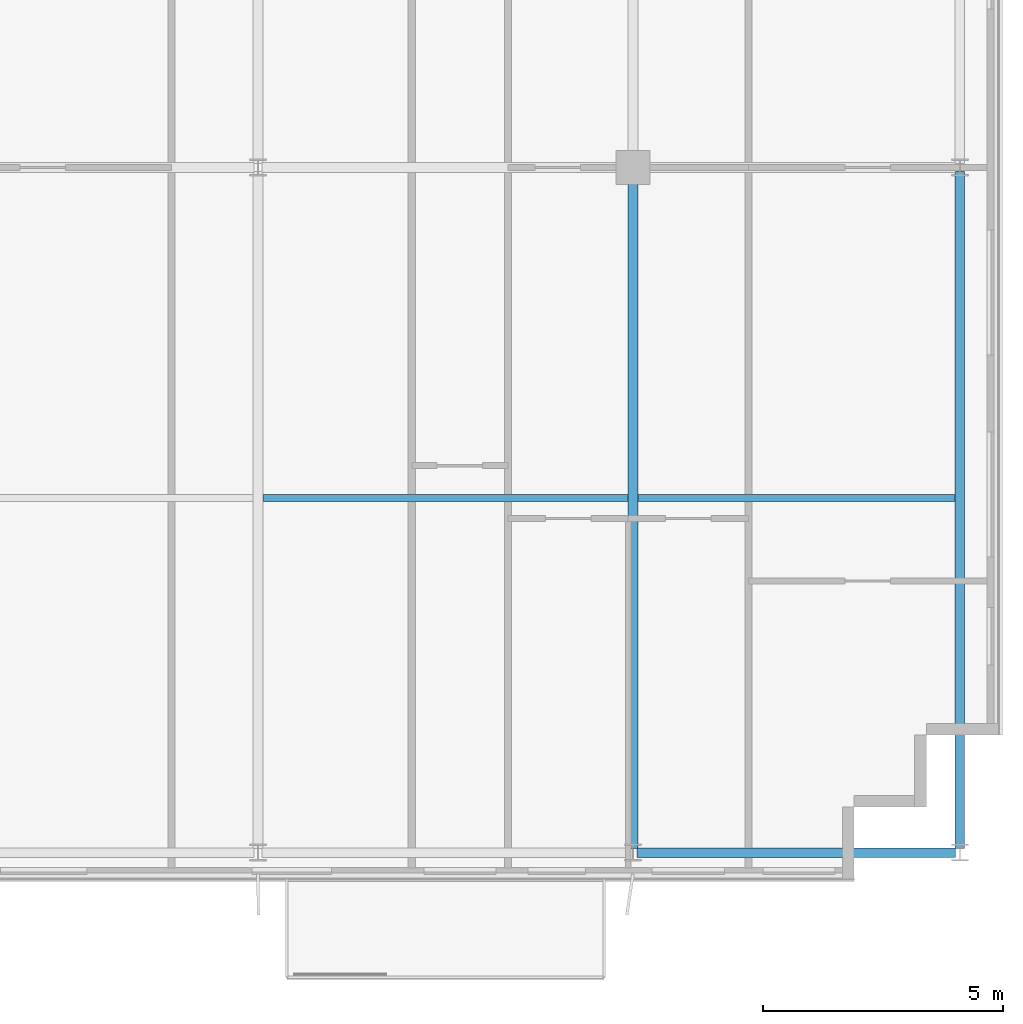
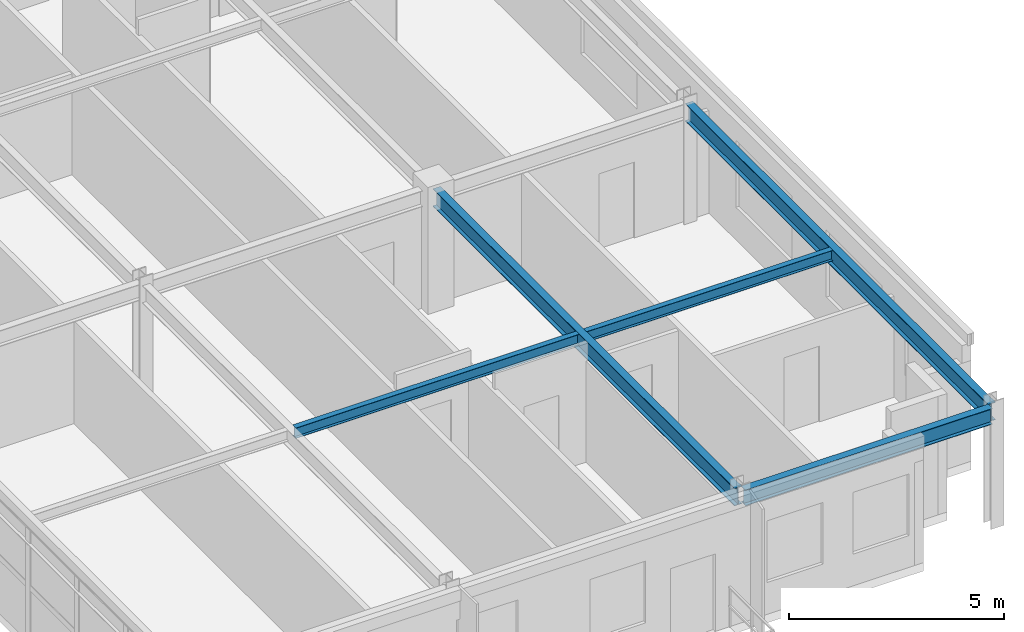
# One storey, part 13 of 35: 5 beams.
"""IFC4 building model written with IfcOpenShell, lengths in metres."""

import ifcopenshell
import ifcopenshell.guid

model = None  # the IFC model being written
_history = None  # IfcOwnerHistory: only IFC2X3 demands one
_inside = {}  # id of a spatial element -> (the spatial element, [elements in it])
_under = {}  # id of a project, library or spatial element -> (it, [spatial elements below it])
_declared = {}  # id of a project -> (the project, [libraries it declares])
_typed = {}  # id of a type object -> (the type object, [elements of that type])
_made_of = {}  # id of a material, layer set ... -> (it, [elements and type objects made of it])


def new_model(schema):
    """Start an empty IFC model of exactly this schema.

    Asked for "IFC4X3", IfcOpenShell would pick the latest addendum, in which some entities
    have other attributes; the version numbers below select the first issue.
    IFC2X3 requires an IfcOwnerHistory on every rooted entity: one is made here for all.
    """
    global model, _history
    if schema == "IFC4X3":
        model = ifcopenshell.file(schema_version=(4, 3, 0, 0))
    else:
        model = ifcopenshell.file(schema=schema)
    _inside.clear()
    _under.clear()
    _declared.clear()
    _typed.clear()
    _made_of.clear()
    _history = None
    if model.schema == "IFC2X3":
        org = make("IfcOrganization", Name="unknown")
        user = make(
            "IfcPersonAndOrganization",
            ThePerson=make("IfcPerson", FamilyName="unknown"),
            TheOrganization=org,
        )
        app = make(
            "IfcApplication",
            ApplicationDeveloper=org,
            Version="unknown",
            ApplicationFullName="unknown",
            ApplicationIdentifier="unknown",
        )
        _history = make(
            "IfcOwnerHistory",
            OwningUser=user,
            OwningApplication=app,
            ChangeAction="ADDED",
            CreationDate=0,
        )
    return model


def make(cls, **values):
    """One entity of the class cls with the attributes given. An attribute that is None is left unset."""
    return model.create_entity(
        cls, **{name: value for name, value in values.items() if value is not None}
    )


def rooted(cls, **values):
    """An entity with a GlobalId (a new one), such as an element, a storey or a relation."""
    return make(cls, GlobalId=ifcopenshell.guid.new(), OwnerHistory=_history, **values)


def si_unit(unit_type, name, prefix=None):
    """IfcSIUnit, for example si_unit("LENGTHUNIT", "METRE", prefix="MILLI")."""
    return make("IfcSIUnit", UnitType=unit_type, Prefix=prefix, Name=name)


def assignment(units):
    """IfcUnitAssignment: the units of a project."""
    return None if units is None else make("IfcUnitAssignment", Units=units)


def point(xyz):
    """IfcCartesianPoint."""
    return None if xyz is None else make("IfcCartesianPoint", Coordinates=xyz)


def direction(xyz):
    """IfcDirection."""
    return None if xyz is None else make("IfcDirection", DirectionRatios=xyz)


def frame(location, z_axis=None, x_axis=None):
    """IfcAxis2Placement3D, a coordinate frame: its origin and axes. An axis left out is left unset."""
    return make(
        "IfcAxis2Placement3D",
        Location=point(location),
        Axis=direction(z_axis),
        RefDirection=direction(x_axis),
    )


def frame_2d(location, x_axis=None):
    """IfcAxis2Placement2D, a coordinate frame in the plane: its origin and x axis."""
    return make(
        "IfcAxis2Placement2D", Location=point(location), RefDirection=direction(x_axis)
    )


def origin():
    """The frame at (0, 0, 0) with its axes left unset."""
    return frame((0.0, 0.0, 0.0))


def origin_2d():
    """The frame at (0, 0) in the plane with its x axis left unset."""
    return frame_2d((0.0, 0.0))


def place(relative_to, where):
    """IfcLocalPlacement: puts the frame where relative to a parent placement (None: the world)."""
    return make(
        "IfcLocalPlacement", PlacementRelTo=relative_to, RelativePlacement=where
    )


def context(
    kind, dimensions, precision=None, world=None, true_north=None, identifier=None
):
    """IfcGeometricRepresentationContext, for example the 3D "Model" context."""
    return make(
        "IfcGeometricRepresentationContext",
        ContextIdentifier=identifier,
        ContextType=kind,
        CoordinateSpaceDimension=dimensions,
        Precision=precision,
        WorldCoordinateSystem=world,
        TrueNorth=true_north,
    )


def subcontext(parent, identifier, kind, view, scale=None):
    """IfcGeometricRepresentationSubContext, for example "Body" below "Model"."""
    return make(
        "IfcGeometricRepresentationSubContext",
        ContextIdentifier=identifier,
        ContextType=kind,
        ParentContext=parent,
        TargetScale=scale,
        TargetView=view,
    )


def project(units=None, contexts=None):
    """IfcProject with its units and contexts."""
    return rooted(
        "IfcProject",
        Name="project",
        RepresentationContexts=contexts,
        UnitsInContext=assignment(units),
    )


def spatial(cls, under=None, at=None, **own):
    """A site, building, storey or space (cls), placed at a placement, below another one or the project."""
    s = rooted(cls, ObjectPlacement=at, **own)
    if under is not None:
        _under.setdefault(under.id(), (under, []))[1].append(s)
    return s


def profile(cls, at=None, kind="AREA", **sizes):
    """A parametric profile (cls). Its sizes go by their IFC names, for example OverallWidth=200.0."""
    return make(cls, ProfileType=kind, Position=at, **sizes)


def i_section(**sizes):
    """IfcIShapeProfileDef."""
    return profile("IfcIShapeProfileDef", **sizes)


def extrude(swept, where, along, depth):
    """IfcExtrudedAreaSolid: the profile swept, set in the frame where, extruded along a direction by depth."""
    return make(
        "IfcExtrudedAreaSolid",
        SweptArea=swept,
        Position=where,
        ExtrudedDirection=direction(along),
        Depth=depth,
    )


def shape(context_of_items, identifier, shape_type, items):
    """IfcShapeRepresentation: the items that make up one representation, for example the "Body"."""
    return make(
        "IfcShapeRepresentation",
        ContextOfItems=context_of_items,
        RepresentationIdentifier=identifier,
        RepresentationType=shape_type,
        Items=items,
    )


def source(mapping_origin, context_of_items, identifier, shape_type, items):
    """IfcRepresentationMap: a shape defined once, which mapped items show again and again."""
    return make(
        "IfcRepresentationMap",
        MappingOrigin=mapping_origin,
        MappedRepresentation=shape(context_of_items, identifier, shape_type, items),
    )


def transform(
    local_origin,
    x_axis=None,
    y_axis=None,
    z_axis=None,
    scale=None,
    scale2=None,
    scale3=None,
    uniform=True,
):
    """IfcCartesianTransformationOperator3D, or its non-uniform kind. x_axis, y_axis, z_axis: its Axis1, 2, 3."""
    if uniform:
        return make(
            "IfcCartesianTransformationOperator3D",
            Axis1=direction(x_axis),
            Axis2=direction(y_axis),
            LocalOrigin=point(local_origin),
            Scale=scale,
            Axis3=direction(z_axis),
        )
    return make(
        "IfcCartesianTransformationOperator3DnonUniform",
        Axis1=direction(x_axis),
        Axis2=direction(y_axis),
        LocalOrigin=point(local_origin),
        Scale=scale,
        Axis3=direction(z_axis),
        Scale2=scale2,
        Scale3=scale3,
    )


def mapped(mapping_source, mapping_target):
    """IfcMappedItem: shows the shape of a source again, moved by a transform."""
    return make(
        "IfcMappedItem", MappingSource=mapping_source, MappingTarget=mapping_target
    )


def material(Name=None, Category=None):
    """IfcMaterial."""
    return make("IfcMaterial", Name=Name, Category=Category)


def material_profile(
    of_material, cross_section, Name=None, Category=None, Priority=None
):
    """IfcMaterialProfile: a cross section and its material."""
    return make(
        "IfcMaterialProfile",
        Name=Name,
        Material=of_material,
        Profile=cross_section,
        Priority=Priority,
        Category=Category,
    )


def profile_set(profiles, Name=None, composite=None):
    """IfcMaterialProfileSet."""
    return make(
        "IfcMaterialProfileSet",
        Name=Name,
        MaterialProfiles=profiles,
        CompositeProfile=composite,
    )


def made_of(thing, what):
    """Note that an element or type object is made of a material, layer set ...; save() writes the relation."""
    if what is not None:
        _made_of.setdefault(what.id(), (what, []))[1].append(thing)
    return thing


def type_object(cls, material=None, **own):
    """A type object (cls), such as IfcWallType, which elements share."""
    return made_of(rooted(cls, **own), material)


def element(
    cls,
    number,
    at=None,
    inside=None,
    cuts=None,
    type_object=None,
    material=None,
    context=None,
    identifier="Body",
    shape_type=None,
    held_by="IfcProductDefinitionShape",
    body=None,
    shapes=None,
    **own,
):
    """One element of the class cls, such as IfcWall. Its Tag is "e" and its number.

    at: its placement. inside: the storey or other place that contains it. cuts: it is an
    opening in that element (IfcRelVoidsElement). A single representation is given by context,
    identifier, shape_type and body (its items); several are given by shapes. held_by: the class
    of the entity that holds the representations. save() writes the other relations.
    """
    e = rooted(cls, Tag="e%d" % number, ObjectPlacement=at, **own)
    if body is not None:
        shapes = [shape(context, identifier, shape_type, body)]
    if shapes is not None:
        e.Representation = make(held_by, Representations=shapes)
    if inside is not None:
        _inside.setdefault(inside.id(), (inside, []))[1].append(e)
    if cuts is not None:
        rooted(
            "IfcRelVoidsElement", RelatingBuildingElement=cuts, RelatedOpeningElement=e
        )
    if type_object is not None:
        _typed.setdefault(type_object.id(), (type_object, []))[1].append(e)
    return made_of(e, material)


def aggregate(whole, parts):
    """IfcRelAggregates: a whole, such as a stair, and the parts it consists of."""
    return rooted("IfcRelAggregates", RelatingObject=whole, RelatedObjects=parts)


def save(model, path):
    """Write the relations noted so far, then the file.

    IfcRelAggregates (storeys below a building ...), IfcRelContainedInSpatialStructure (elements
    in a storey), IfcRelDefinesByType, IfcRelAssociatesMaterial and IfcRelDeclares: one each for
    every whole, place, type object, material and project.
    """
    for whole, parts in _under.values():
        aggregate(whole, parts)
    for where, things in _inside.values():
        rooted(
            "IfcRelContainedInSpatialStructure",
            RelatedElements=things,
            RelatingStructure=where,
        )
    for kind, things in _typed.values():
        rooted("IfcRelDefinesByType", RelatedObjects=things, RelatingType=kind)
    for what, things in _made_of.values():
        rooted("IfcRelAssociatesMaterial", RelatedObjects=things, RelatingMaterial=what)
    for by, libraries in _declared.values():
        rooted("IfcRelDeclares", RelatingContext=by, RelatedDefinitions=libraries)
    model.write(path)


model = new_model("IFC4")

# Units and contexts
model_context = context("Model", 3, precision=1e-05, world=origin(), true_north=direction((0.0, 1.0)))
body_context = subcontext(model_context, "Body", "Model", "MODEL_VIEW")
ifc_project = project(units=[si_unit("LENGTHUNIT", "METRE"), si_unit("AREAUNIT", "SQUARE_METRE"), si_unit("VOLUMEUNIT", "CUBIC_METRE"), si_unit("PLANEANGLEUNIT", "RADIAN"), si_unit("MASSUNIT", "GRAM", prefix="KILO")], contexts=[model_context])

# Site, building, storey
site_placement = place(None, origin())
site = spatial("IfcSite", under=ifc_project, at=site_placement, CompositionType="ELEMENT")
building_placement = place(site_placement, origin())
building = spatial("IfcBuilding", under=site, at=building_placement, Name="Trelvane Seafront Commons", CompositionType="ELEMENT")
storey_placement = place(building_placement, frame((0.0, 0.0, 194.10009765625)))
storey = spatial("IfcBuildingStorey", under=building, at=storey_placement, Name="L50", CompositionType="ELEMENT", Elevation=194.10009765625)

# Beams
ifc_material = material(Name="Steel SM355 (S355)", Category="steel")
ifc_material_profile_1 = material_profile(ifc_material, i_section(OverallWidth=0.199951171875, OverallDepth=0.449951171875, WebThickness=0.009033203125, FlangeThickness=0.013916015625, at=origin_2d()), Name="H-450x200x9x14")
ifc_profile_set_1 = profile_set([ifc_material_profile_1], Name="Steel SM355 (S355)")
beam_type_1 = type_object("IfcBeamType", Name="STR-SPD-H450", PredefinedType="SPANDREL", material=ifc_profile_set_1)
shared_shape_1 = source(origin(), body_context, "Body", "SweptSolid", [
    extrude(i_section(OverallWidth=0.199951171875, OverallDepth=0.449951171875, WebThickness=0.009033203125, FlangeThickness=0.013916015625, at=origin_2d()), origin(), (0.0, 0.0, 1.0), 6.625),
])
beam_1_placement = place(storey_placement, frame((58.887451171875, 3.949951171875, 3.135009765625), z_axis=(1.0, 0.0, 0.0), x_axis=(0.0, 1.0, 0.0)))
element("IfcBeam", 1, at=beam_1_placement, inside=storey, type_object=beam_type_1, Name="L50 Primary Girder G-07", PredefinedType="SPANDREL", context=body_context, shape_type="MappedRepresentation", body=[
    mapped(shared_shape_1, transform((0.0, 0.0, 0.0), x_axis=(1.0, 0.0, 0.0), y_axis=(0.0, 1.0, 0.0), z_axis=(0.0, 0.0, 1.0), scale=1.0)),
])
ifc_material_profile_2 = material_profile(ifc_material, i_section(OverallWidth=0.199951171875, OverallDepth=0.5, WebThickness=0.010009765625, FlangeThickness=0.01611328125, at=origin_2d()), Name="H-500x200x10x16")
ifc_profile_set_2 = profile_set([ifc_material_profile_2], Name="Steel SM355 (S355)")
beam_type_2 = type_object("IfcBeamType", Name="STR-BM-H500", PredefinedType="BEAM", material=ifc_profile_set_2)
shared_shape_2 = source(origin(), body_context, "Body", "SweptSolid", [
    extrude(i_section(OverallWidth=0.199951171875, OverallDepth=0.5, WebThickness=0.010009765625, FlangeThickness=0.01611328125, at=origin_2d()), origin(), (0.0, 0.0, 1.0), 14.074951171875),
])
beam_2_placement = place(storey_placement, frame((65.60009765625, 4.03759765625, 3.10986328125), z_axis=(0.0, 1.0, 0.0), x_axis=(-1.0, 0.0, 0.0)))
element("IfcBeam", 2, at=beam_2_placement, inside=storey, type_object=beam_type_2, Name="L50 Primary Girder G-50", PredefinedType="BEAM", context=body_context, shape_type="MappedRepresentation", body=[
    mapped(shared_shape_2, transform((0.0, 0.0, 0.0), x_axis=(1.0, 0.0, 0.0), y_axis=(0.0, 1.0, 0.0), z_axis=(0.0, 0.0, 1.0), scale=1.0)),
])
shared_shape_3 = source(origin(), body_context, "Body", "SweptSolid", [
    extrude(i_section(OverallWidth=0.199951171875, OverallDepth=0.5, WebThickness=0.010009765625, FlangeThickness=0.01611328125, at=origin_2d()), origin(), (0.0, 0.0, 1.0), 14.012451171875),
])
beam_3_placement = place(storey_placement, frame((58.800048828125, 4.03759765625, 3.10986328125), z_axis=(0.0, 1.0, 0.0), x_axis=(-1.0, 0.0, 0.0)))
element("IfcBeam", 3, at=beam_3_placement, inside=storey, type_object=beam_type_2, Name="L50 Primary Girder G-47", PredefinedType="BEAM", context=body_context, shape_type="MappedRepresentation", body=[
    mapped(shared_shape_3, transform((0.0, 0.0, 0.0), x_axis=(1.0, 0.0, 0.0), y_axis=(0.0, 1.0, 0.0), z_axis=(0.0, 0.0, 1.0), scale=1.0)),
])
ifc_material_profile_3 = material_profile(ifc_material, i_section(OverallWidth=0.14990234375, OverallDepth=0.300048828125, WebThickness=0.006591796875, FlangeThickness=0.009033203125, at=origin_2d()), Name="H-300x150x6.5x9")
ifc_profile_set_3 = profile_set([ifc_material_profile_3], Name="Steel SM355 (S355)")
beam_type_3 = type_object("IfcBeamType", Name="STR-JST-H300", PredefinedType="JOIST", material=ifc_profile_set_3)
shared_shape_4 = source(origin(), body_context, "Body", "SweptSolid", [
    extrude(i_section(OverallWidth=0.14990234375, OverallDepth=0.300048828125, WebThickness=0.006591796875, FlangeThickness=0.009033203125, at=origin_2d()), origin(), (0.0, 0.0, 1.0), 6.60009765625),
])
beam_4_placement = place(storey_placement, frame((58.89990234375, 11.324951171875, 3.2099609375), z_axis=(1.0, 0.0, 0.0), x_axis=(0.0, 1.0, 0.0)))
element("IfcBeam", 4, at=beam_4_placement, inside=storey, type_object=beam_type_3, Name="L50 Secondary Floor Joist B-59", PredefinedType="JOIST", context=body_context, shape_type="MappedRepresentation", body=[
    mapped(shared_shape_4, transform((0.0, 0.0, 0.0), x_axis=(1.0, 0.0, 0.0), y_axis=(0.0, 1.0, 0.0), z_axis=(0.0, 0.0, 1.0), scale=1.0)),
])
shared_shape_5 = source(origin(), body_context, "Body", "SweptSolid", [
    extrude(i_section(OverallWidth=0.14990234375, OverallDepth=0.300048828125, WebThickness=0.006591796875, FlangeThickness=0.009033203125, at=origin_2d()), origin(), (0.0, 0.0, 1.0), 7.599853515625),
])
beam_5_placement = place(storey_placement, frame((51.10009765625, 11.324951171875, 3.2099609375), z_axis=(1.0, 0.0, 0.0), x_axis=(0.0, 1.0, 0.0)))
element("IfcBeam", 5, at=beam_5_placement, inside=storey, type_object=beam_type_3, Name="L50 Secondary Floor Joist B-58", PredefinedType="JOIST", context=body_context, shape_type="MappedRepresentation", body=[
    mapped(shared_shape_5, transform((0.0, 0.0, 0.0), x_axis=(1.0, 0.0, 0.0), y_axis=(0.0, 1.0, 0.0), z_axis=(0.0, 0.0, 1.0), scale=1.0)),
])

save(model, "model.ifc")
